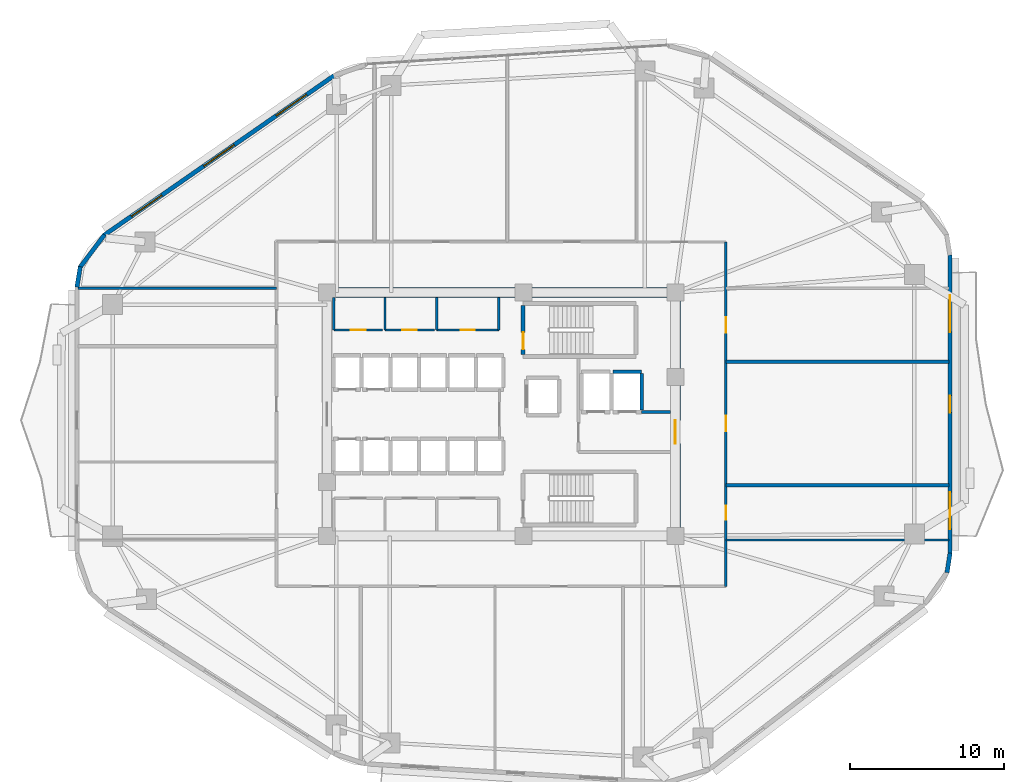
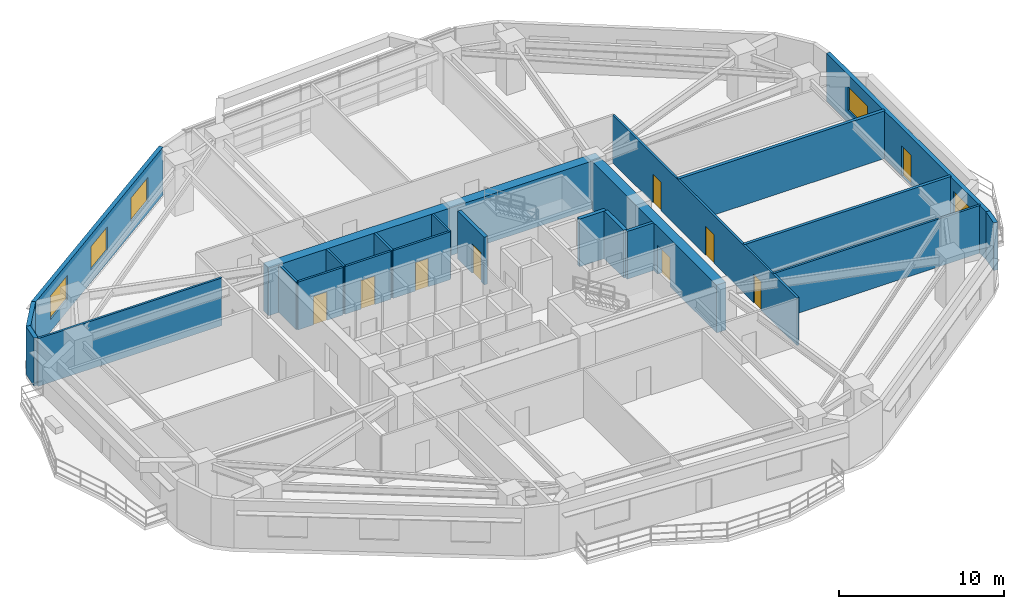
# One storey, part 9 of 14: 23 walls, 9 doors, 5 windows, 14 openings.
"""IFC4 building model written with IfcOpenShell, lengths in metres."""

from ifc_helpers import new_model, si_unit, direction, frame, frame_2d, origin, place, context, subcontext, project, spatial, rectangle, extrude, material, layer, layer_set, type_object, element, fill, save


model = new_model("IFC4")

# Units and contexts
model_context = context("Model", 3, precision=1e-05, world=origin(), true_north=direction((0.0, 1.0)))
body_context = subcontext(model_context, "Body", "Model", "MODEL_VIEW")
ifc_project = project(units=[si_unit("LENGTHUNIT", "METRE"), si_unit("AREAUNIT", "SQUARE_METRE"), si_unit("VOLUMEUNIT", "CUBIC_METRE"), si_unit("PLANEANGLEUNIT", "RADIAN"), si_unit("MASSUNIT", "GRAM", prefix="KILO")], contexts=[model_context])

# Site, building, storey
site_placement = place(None, origin())
site = spatial("IfcSite", under=ifc_project, at=site_placement, CompositionType="ELEMENT")
building_placement = place(site_placement, origin())
building = spatial("IfcBuilding", under=site, at=building_placement, Name="Zulverin Broadcast Headquarters", CompositionType="ELEMENT")
storey_placement = place(building_placement, frame((0.0, 0.0, 55.39990234375)))
storey = spatial("IfcBuildingStorey", under=building, at=storey_placement, Name="L13", CompositionType="ELEMENT", Elevation=55.39990234375)

# Walls
ifc_material_1 = material(Name="Acoustic drywall steel stud", Category="steel")
ifc_layer_1 = layer(ifc_material_1, 0.199951171875, Name="Acoustic drywall steel stud", Category="steel")
ifc_layer_set_1 = layer_set([ifc_layer_1], Name="Acoustic drywall steel stud")
wall_type_1 = type_object("IfcWallType", Name="WL-ACOU-200", PredefinedType="PARTITIONING", material=ifc_layer_set_1)
wall_1_placement = place(storey_placement, frame((51.550048828125, 20.60009765625, 0.0), z_axis=(0.0, 0.0, 1.0), x_axis=(1.0, 0.0, 0.0)))
element("IfcWall", 1, at=wall_1_placement, inside=storey, type_object=wall_type_1, Name="L13 Room Partition Wall RP-12", PredefinedType="PARTITIONING", context=body_context, shape_type="SweptSolid", body=[
    extrude(rectangle(XDim=14.445068359375, YDim=0.199951171875, at=frame_2d((7.22265625, 0.0))), origin(), (0.0, 0.0, 1.0), 3.525146484375),
])
ifc_material_2 = material(Name="Double-stud acoustic drywall", Category="gypsum")
ifc_layer_2 = layer(ifc_material_2, 0.219970703125, Name="Double-stud acoustic drywall", Category="gypsum")
ifc_layer_set_2 = layer_set([ifc_layer_2], Name="Double-stud acoustic drywall")
wall_type_2 = type_object("IfcWallType", Name="WL-ACOU-220", PredefinedType="PARTITIONING", material=ifc_layer_set_2)
wall_2_placement = place(storey_placement, frame((51.550048828125, 28.60009765625, 0.0), z_axis=(0.0, 0.0, 1.0), x_axis=(1.0, 0.0, 0.0)))
element("IfcWall", 2, at=wall_2_placement, inside=storey, type_object=wall_type_2, Name="L13 Room Partition Wall RP-14", PredefinedType="PARTITIONING", context=body_context, shape_type="SweptSolid", body=[
    extrude(rectangle(XDim=14.445068359375, YDim=0.219970703125, at=frame_2d((7.22265625, 0.0))), origin(), (0.0, 0.0, 1.0), 3.525146484375),
])
ifc_material_3 = material(Name="Concrete C60/75", Category="concrete")
ifc_layer_3 = layer(ifc_material_3, 0.64990234375, Name="Concrete C60/75", Category="concrete")
ifc_layer_set_3 = layer_set([ifc_layer_3], Name="Concrete C60/75")
wall_type_3 = type_object("IfcWallType", Name="WL-CORE-650", PredefinedType="SHEAR", material=ifc_layer_set_3)
wall_3_placement = place(storey_placement, frame((25.39990234375, 33.074951171875, 0.0), z_axis=(0.0, 0.0, 1.0), x_axis=(1.0, 0.0, 0.0)))
element("IfcWall", 3, at=wall_3_placement, inside=storey, type_object=wall_type_3, Name="L13 Core North Shear Wall", PredefinedType="SHEAR", context=body_context, shape_type="SweptSolid", body=[
    extrude(rectangle(XDim=23.2001953125, YDim=0.64990234375, at=frame_2d((11.60009765625, 0.0))), origin(), (0.0, 0.0, 1.0), 3.525146484375),
])

# Wall, opening, door
wall_4_placement = place(storey_placement, frame((48.27490234375, 17.64990234375, 0.0), z_axis=(0.0, 0.0, 1.0), x_axis=(0.0, 1.0, 0.0)))
wall_4 = element("IfcWall", 4, at=wall_4_placement, inside=storey, type_object=wall_type_3, Name="L13 Core East Shear Wall", PredefinedType="SHEAR", context=body_context, shape_type="SweptSolid", body=[
    extrude(rectangle(XDim=15.10009765625, YDim=0.64990234375, at=frame_2d((7.550048828125, 0.0))), origin(), (0.0, 0.0, 1.0), 3.525146484375),
])
opening_1_placement = place(wall_4_placement, frame((5.64990234375, 0.0, 0.0)))
opening_1 = element("IfcOpeningElement", 5, at=opening_1_placement, cuts=wall_4, Name="Opening D-L13-CE1", PredefinedType="OPENING", context=body_context, shape_type="SweptSolid", body=[
    extrude(rectangle(XDim=1.5, YDim=2.14990234375, at=frame_2d((0.75, 1.074951171875))), frame((0.0, 0.3349609375, 0.0), z_axis=(0.0, -1.0, 0.0), x_axis=(1.0, 0.0, 0.0)), (0.0, 0.0, 1.0), 0.669921875),
])
ifc_material_4 = material(Name="Fire-rated glazed steel frame", Category="steel")
door_type_1 = type_object("IfcDoorType", Name="DR-COR-1500", OperationType="DOUBLE_DOOR_SINGLE_SWING", PredefinedType="DOOR", material=ifc_material_4)
door_1_placement = place(opening_1_placement, origin())
door_1 = element("IfcDoor", 6, at=door_1_placement, inside=storey, type_object=door_type_1, Name="L13 Firefighting Lobby East Corridor Door", OperationType="DOUBLE_DOOR_SINGLE_SWING", OverallHeight=2.14990234375, OverallWidth=1.5, PredefinedType="DOOR", context=body_context, shape_type="SweptSolid", body=[
    extrude(rectangle(XDim=1.5, YDim=2.14990234375, at=frame_2d((0.75, 1.074951171875))), frame((0.0, 0.02490234375, 0.0), z_axis=(0.0, -1.0, 0.0), x_axis=(1.0, 0.0, 0.0)), (0.0, 0.0, 1.0), 0.050048828125),
])
fill(opening_1, door_1)

# Wall, openings, door, windows
ifc_material_5 = material(Name="Insulated pale-metal clad concrete spandrel C40/50", Category="concrete")
ifc_layer_4 = layer(ifc_material_5, 0.280029296875, Name="Insulated pale-metal clad concrete spandrel C40/50", Category="concrete")
ifc_layer_set_4 = layer_set([ifc_layer_4], Name="Insulated pale-metal clad concrete spandrel C40/50")
wall_type_4 = type_object("IfcWallType", Name="WL-EXT-280", PredefinedType="STANDARD", material=ifc_layer_set_4)
wall_5_placement = place(storey_placement, frame((66.06005859375, 16.183349609375, 0.0), z_axis=(0.0, 0.0, 1.0), x_axis=(0.0, 1.0, 0.0)))
wall_5 = element("IfcWall", 7, at=wall_5_placement, inside=storey, type_object=wall_type_4, Name="L13 Pale-Metal Clad Spandrel Wall 3", PredefinedType="STANDARD", context=body_context, shape_type="SweptSolid", body=[
    extrude(rectangle(XDim=19.3310546875, YDim=0.280029296875, at=frame_2d((9.66552734375, 0.0))), origin(), (0.0, 0.0, 1.0), 3.525146484375),
])
opening_2_placement = place(wall_5_placement, frame((9.115478515625, 0.0, 0.0)))
opening_2 = element("IfcOpeningElement", 8, at=opening_2_placement, cuts=wall_5, Name="Opening D-L13-TR3", PredefinedType="OPENING", context=body_context, shape_type="SweptSolid", body=[
    extrude(rectangle(XDim=1.10009765625, YDim=2.199951171875, at=frame_2d((0.550048828125, 1.10009765625))), frame((0.0, 0.14990234375, 0.0), z_axis=(0.0, -1.0, 0.0), x_axis=(1.0, 0.0, 0.0)), (0.0, 0.0, 1.0), 0.300048828125),
])
opening_3_placement = place(wall_5_placement, frame((1.5751953125, 0.0, 0.89990234375)))
opening_3 = element("IfcOpeningElement", 9, at=opening_3_placement, cuts=wall_5, Name="Opening W-L13-E31", PredefinedType="OPENING", context=body_context, shape_type="SweptSolid", body=[
    extrude(rectangle(XDim=2.39990234375, YDim=1.75, at=frame_2d((1.199951171875, 0.875))), frame((0.0, 0.14990234375, 0.0), z_axis=(0.0, -1.0, 0.0), x_axis=(1.0, 0.0, 0.0)), (0.0, 0.0, 1.0), 0.300048828125),
])
opening_4_placement = place(wall_5_placement, frame((14.325927734375, 0.0, 0.89990234375)))
opening_4 = element("IfcOpeningElement", 10, at=opening_4_placement, cuts=wall_5, Name="Opening W-L13-E32", PredefinedType="OPENING", context=body_context, shape_type="SweptSolid", body=[
    extrude(rectangle(XDim=2.39990234375, YDim=1.75, at=frame_2d((1.199951171875, 0.875))), frame((0.0, 0.14990234375, 0.0), z_axis=(0.0, -1.0, 0.0), x_axis=(1.0, 0.0, 0.0)), (0.0, 0.0, 1.0), 0.300048828125),
])
ifc_material_6 = material(Name="Thermally broken aluminium glazed", Category="aluminium")
door_type_2 = type_object("IfcDoorType", Name="DR-TERR-1100", OperationType="SINGLE_SWING_RIGHT", PredefinedType="DOOR", material=ifc_material_6)
door_2_placement = place(opening_2_placement, origin())
door_2 = element("IfcDoor", 11, at=door_2_placement, inside=storey, type_object=door_type_2, Name="L13 Planted Terrace Glazed Access Door 3", OperationType="SINGLE_SWING_RIGHT", OverallHeight=2.199951171875, OverallWidth=1.10009765625, PredefinedType="DOOR", context=body_context, shape_type="SweptSolid", body=[
    extrude(rectangle(XDim=1.10009765625, YDim=2.199951171875, at=frame_2d((0.550048828125, 1.10009765625))), frame((0.0, 0.02490234375, 0.0), z_axis=(0.0, -1.0, 0.0), x_axis=(1.0, 0.0, 0.0)), (0.0, 0.0, 1.0), 0.050048828125),
])
fill(opening_2, door_2)
ifc_material_7 = material(Name="Pale anodized aluminium frame with solar-control low-E double glazing", Category="aluminium")
window_type = type_object("IfcWindowType", Name="WIN-RIB-2400", PartitioningType="SINGLE_PANEL", PredefinedType="WINDOW", material=ifc_material_7)
window_1_placement = place(opening_3_placement, origin())
window_1 = element("IfcWindow", 12, at=window_1_placement, inside=storey, type_object=window_type, Name="L13 Ribbon Glazing Window 3 1", OverallHeight=1.75, OverallWidth=2.39990234375, PartitioningType="SINGLE_PANEL", PredefinedType="WINDOW", context=body_context, shape_type="SweptSolid", body=[
    extrude(rectangle(XDim=2.39990234375, YDim=1.75, at=frame_2d((1.199951171875, 0.875))), frame((0.0, 0.030029296875, 0.0), z_axis=(0.0, -1.0, 0.0), x_axis=(1.0, 0.0, 0.0)), (0.0, 0.0, 1.0), 0.06005859375),
])
fill(opening_3, window_1)
window_2_placement = place(opening_4_placement, origin())
window_2 = element("IfcWindow", 13, at=window_2_placement, inside=storey, type_object=window_type, Name="L13 Ribbon Glazing Window 3 2", OverallHeight=1.75, OverallWidth=2.39990234375, PartitioningType="SINGLE_PANEL", PredefinedType="WINDOW", context=body_context, shape_type="SweptSolid", body=[
    extrude(rectangle(XDim=2.39990234375, YDim=1.75, at=frame_2d((1.199951171875, 0.875))), frame((0.0, 0.030029296875, 0.0), z_axis=(0.0, -1.0, 0.0), x_axis=(1.0, 0.0, 0.0)), (0.0, 0.0, 1.0), 0.06005859375),
])
fill(opening_4, window_2)

# Wall, openings, windows
wall_6_placement = place(storey_placement, frame((26.181884765625, 47.11767578125, 0.0), z_axis=(0.0, 0.0, 1.0), x_axis=(-0.821547956627, -0.570139417127, 0.0)))
wall_6 = element("IfcWall", 14, at=wall_6_placement, inside=storey, type_object=wall_type_4, Name="L13 Pale-Metal Clad Spandrel Wall 6", PredefinedType="STANDARD", context=body_context, shape_type="SweptSolid", body=[
    extrude(rectangle(XDim=18.13232421875, YDim=0.280029296875, at=frame_2d((9.066162109375, 0.0))), origin(), (0.0, 0.0, 1.0), 3.525146484375),
])
opening_5_placement = place(wall_6_placement, frame((2.155517578125, 0.0, 0.89990234375)))
opening_5 = element("IfcOpeningElement", 15, at=opening_5_placement, cuts=wall_6, Name="Opening W-L13-E61", PredefinedType="OPENING", context=body_context, shape_type="SweptSolid", body=[
    extrude(rectangle(XDim=2.39990234375, YDim=1.75, at=frame_2d((1.199951171875, 0.875))), frame((0.0, 0.14990234375, 0.0), z_axis=(0.0, -1.0, 0.0), x_axis=(1.0, 0.0, 0.0)), (0.0, 0.0, 1.0), 0.300048828125),
])
opening_6_placement = place(wall_6_placement, frame((7.8662109375, 0.0, 0.89990234375)))
opening_6 = element("IfcOpeningElement", 16, at=opening_6_placement, cuts=wall_6, Name="Opening W-L13-E62", PredefinedType="OPENING", context=body_context, shape_type="SweptSolid", body=[
    extrude(rectangle(XDim=2.39990234375, YDim=1.75, at=frame_2d((1.199951171875, 0.875))), frame((0.0, 0.14990234375, 0.0), z_axis=(0.0, -1.0, 0.0), x_axis=(1.0, 0.0, 0.0)), (0.0, 0.0, 1.0), 0.300048828125),
])
opening_7_placement = place(wall_6_placement, frame((13.576904296875, 0.0, 0.89990234375)))
opening_7 = element("IfcOpeningElement", 17, at=opening_7_placement, cuts=wall_6, Name="Opening W-L13-E63", PredefinedType="OPENING", context=body_context, shape_type="SweptSolid", body=[
    extrude(rectangle(XDim=2.39990234375, YDim=1.75, at=frame_2d((1.199951171875, 0.875))), frame((0.0, 0.14990234375, 0.0), z_axis=(0.0, -1.0, 0.0), x_axis=(1.0, 0.0, 0.0)), (0.0, 0.0, 1.0), 0.300048828125),
])
window_3_placement = place(opening_5_placement, origin())
window_3 = element("IfcWindow", 18, at=window_3_placement, inside=storey, type_object=window_type, Name="L13 Ribbon Glazing Window 6 1", OverallHeight=1.75, OverallWidth=2.39990234375, PartitioningType="SINGLE_PANEL", PredefinedType="WINDOW", context=body_context, shape_type="SweptSolid", body=[
    extrude(rectangle(XDim=2.39990234375, YDim=1.75, at=frame_2d((1.199951171875, 0.875))), frame((0.0, 0.030029296875, 0.0), z_axis=(0.0, -1.0, 0.0), x_axis=(1.0, 0.0, 0.0)), (0.0, 0.0, 1.0), 0.06005859375),
])
fill(opening_5, window_3)
window_4_placement = place(opening_6_placement, origin())
window_4 = element("IfcWindow", 19, at=window_4_placement, inside=storey, type_object=window_type, Name="L13 Ribbon Glazing Window 6 2", OverallHeight=1.75, OverallWidth=2.39990234375, PartitioningType="SINGLE_PANEL", PredefinedType="WINDOW", context=body_context, shape_type="SweptSolid", body=[
    extrude(rectangle(XDim=2.39990234375, YDim=1.75, at=frame_2d((1.199951171875, 0.875))), frame((0.0, 0.030029296875, 0.0), z_axis=(0.0, -1.0, 0.0), x_axis=(1.0, 0.0, 0.0)), (0.0, 0.0, 1.0), 0.06005859375),
])
fill(opening_6, window_4)
window_5_placement = place(opening_7_placement, origin())
window_5 = element("IfcWindow", 20, at=window_5_placement, inside=storey, type_object=window_type, Name="L13 Ribbon Glazing Window 6 3", OverallHeight=1.75, OverallWidth=2.39990234375, PartitioningType="SINGLE_PANEL", PredefinedType="WINDOW", context=body_context, shape_type="SweptSolid", body=[
    extrude(rectangle(XDim=2.39990234375, YDim=1.75, at=frame_2d((1.199951171875, 0.875))), frame((0.0, 0.030029296875, 0.0), z_axis=(0.0, -1.0, 0.0), x_axis=(1.0, 0.0, 0.0)), (0.0, 0.0, 1.0), 0.06005859375),
])
fill(opening_7, window_5)

# Walls
wall_7_placement = place(storey_placement, frame((65.867431640625, 14.942626953125, 0.0), z_axis=(0.0, 0.0, 1.0), x_axis=(0.152014078361, 0.988378328364, 0.0)))
element("IfcWall", 21, at=wall_7_placement, inside=storey, type_object=wall_type_4, Name="L13 Wind-Shaped Corner Spandrel Wall 2-2", PredefinedType="STANDARD", context=body_context, shape_type="SweptSolid", body=[
    extrude(rectangle(XDim=1.27685546875, YDim=0.280029296875, at=frame_2d((0.638427734375, 0.0))), origin(), (0.0, 0.0, 1.0), 3.525146484375),
])
wall_8_placement = place(storey_placement, frame((11.317626953125, 36.81103515625, 0.0), z_axis=(0.0, 0.0, 1.0), x_axis=(-0.599455152629, -0.800408345775, 0.0)))
element("IfcWall", 22, at=wall_8_placement, inside=storey, type_object=wall_type_4, Name="L13 Wind-Shaped Corner Spandrel Wall 6-1", PredefinedType="STANDARD", context=body_context, shape_type="SweptSolid", body=[
    extrude(rectangle(XDim=2.6533203125, YDim=0.280029296875, at=frame_2d((1.32666015625, 0.0))), origin(), (0.0, 0.0, 1.0), 3.525146484375),
])
wall_9_placement = place(storey_placement, frame((9.753173828125, 34.748779296875, 0.0), z_axis=(0.0, 0.0, 1.0), x_axis=(-0.160037671962, -0.987110907423, 0.0)))
element("IfcWall", 23, at=wall_9_placement, inside=storey, type_object=wall_type_4, Name="L13 Wind-Shaped Corner Spandrel Wall 6-2", PredefinedType="STANDARD", context=body_context, shape_type="SweptSolid", body=[
    extrude(rectangle(XDim=1.343994140625, YDim=0.280029296875, at=frame_2d((0.671875, 0.0))), origin(), (0.0, 0.0, 1.0), 3.525146484375),
])
ifc_material_8 = material(Name="Concrete C40/50", Category="concrete")
ifc_layer_5 = layer(ifc_material_8, 0.199951171875, Name="Concrete C40/50", Category="concrete")
ifc_layer_set_5 = layer_set([ifc_layer_5], Name="Concrete C40/50")
wall_type_5 = type_object("IfcWallType", Name="WL-FFL-200", PredefinedType="SOLIDWALL", material=ifc_layer_set_5)
wall_10_placement = place(storey_placement, frame((46.10009765625, 25.35009765625, 0.0), z_axis=(0.0, 0.0, 1.0), x_axis=(1.0, 0.0, 0.0)))
element("IfcWall", 24, at=wall_10_placement, inside=storey, type_object=wall_type_5, Name="L13 Firefighting Lift Lobby North Wall", PredefinedType="SOLIDWALL", context=body_context, shape_type="SweptSolid", body=[
    extrude(rectangle(XDim=1.849853515625, YDim=0.199951171875, at=frame_2d((0.9248046875, 0.0))), origin(), (0.0, 0.0, 1.0), 3.525146484375),
])

# Wall, opening, door
ifc_material_9 = material(Name="Fire-rated gypsum stud partition", Category="gypsum")
ifc_layer_6 = layer(ifc_material_9, 0.14990234375, Name="Fire-rated gypsum stud partition", Category="gypsum")
ifc_layer_set_6 = layer_set([ifc_layer_6], Name="Fire-rated gypsum stud partition")
wall_type_6 = type_object("IfcWallType", Name="WL-PART-150", PredefinedType="PARTITIONING", material=ifc_layer_set_6)
wall_11_placement = place(storey_placement, frame((26.169921875, 30.64990234375, 0.0), z_axis=(0.0, 0.0, 1.0), x_axis=(1.0, 0.0, 0.0)))
wall_11 = element("IfcWall", 25, at=wall_11_placement, inside=storey, type_object=wall_type_6, Name="L13 Core Male WC Front Wall", PredefinedType="PARTITIONING", context=body_context, shape_type="SweptSolid", body=[
    extrude(rectangle(XDim=3.150146484375, YDim=0.14990234375, at=frame_2d((1.5751953125, 0.0))), origin(), (0.0, 0.0, 1.0), 3.525146484375),
])
opening_8_placement = place(wall_11_placement, frame((1.10009765625, 0.0, 0.0)))
opening_8 = element("IfcOpeningElement", 26, at=opening_8_placement, cuts=wall_11, Name="Opening D-L13-NC1", PredefinedType="OPENING", context=body_context, shape_type="SweptSolid", body=[
    extrude(rectangle(XDim=0.949951171875, YDim=2.10009765625, at=frame_2d((0.47509765625, 1.050048828125))), frame((0.0, 0.0849609375, 0.0), z_axis=(0.0, -1.0, 0.0), x_axis=(1.0, 0.0, 0.0)), (0.0, 0.0, 1.0), 0.169921875),
])
ifc_material_10 = material(Name="Fire-rated moisture-resistant laminate leaf", Category="wood")
door_type_3 = type_object("IfcDoorType", Name="DR-WC-950", OperationType="SINGLE_SWING_LEFT", PredefinedType="DOOR", material=ifc_material_10)
door_3_placement = place(opening_8_placement, origin())
door_3 = element("IfcDoor", 27, at=door_3_placement, inside=storey, type_object=door_type_3, Name="L13 Male WC Door", OperationType="SINGLE_SWING_LEFT", OverallHeight=2.10009765625, OverallWidth=0.949951171875, PredefinedType="DOOR", context=body_context, shape_type="SweptSolid", body=[
    extrude(rectangle(XDim=0.949951171875, YDim=2.10009765625, at=frame_2d((0.47509765625, 1.050048828125))), frame((0.0, 0.02490234375, 0.0), z_axis=(0.0, -1.0, 0.0), x_axis=(1.0, 0.0, 0.0)), (0.0, 0.0, 1.0), 0.050048828125),
])
fill(opening_8, door_3)

# Wall
wall_12_placement = place(storey_placement, frame((26.169921875, 30.64990234375, 0.0), z_axis=(0.0, 0.0, 1.0), x_axis=(0.0, 1.0, 0.0)))
element("IfcWall", 28, at=wall_12_placement, inside=storey, type_object=wall_type_6, Name="L13 Core Male WC West Wall", PredefinedType="PARTITIONING", context=body_context, shape_type="SweptSolid", body=[
    extrude(rectangle(XDim=2.10009765625, YDim=0.14990234375, at=frame_2d((1.050048828125, 0.0))), origin(), (0.0, 0.0, 1.0), 3.525146484375),
])

# Wall, opening, door
wall_13_placement = place(storey_placement, frame((29.47998046875, 30.64990234375, 0.0), z_axis=(0.0, 0.0, 1.0), x_axis=(1.0, 0.0, 0.0)))
wall_13 = element("IfcWall", 29, at=wall_13_placement, inside=storey, type_object=wall_type_6, Name="L13 Core Accessible WC Front Wall", PredefinedType="PARTITIONING", context=body_context, shape_type="SweptSolid", body=[
    extrude(rectangle(XDim=3.18994140625, YDim=0.14990234375, at=frame_2d((1.594970703125, 0.0))), origin(), (0.0, 0.0, 1.0), 3.525146484375),
])
opening_9_placement = place(wall_13_placement, frame((1.1201171875, 0.0, 0.0)))
opening_9 = element("IfcOpeningElement", 30, at=opening_9_placement, cuts=wall_13, Name="Opening D-L13-NC2", PredefinedType="OPENING", context=body_context, shape_type="SweptSolid", body=[
    extrude(rectangle(XDim=0.949951171875, YDim=2.10009765625, at=frame_2d((0.47509765625, 1.050048828125))), frame((0.0, 0.0849609375, 0.0), z_axis=(0.0, -1.0, 0.0), x_axis=(1.0, 0.0, 0.0)), (0.0, 0.0, 1.0), 0.169921875),
])
door_4_placement = place(opening_9_placement, origin())
door_4 = element("IfcDoor", 31, at=door_4_placement, inside=storey, type_object=door_type_3, Name="L13 Accessible WC Door", OperationType="SINGLE_SWING_RIGHT", OverallHeight=2.10009765625, OverallWidth=0.949951171875, PredefinedType="DOOR", context=body_context, shape_type="SweptSolid", body=[
    extrude(rectangle(XDim=0.949951171875, YDim=2.10009765625, at=frame_2d((0.47509765625, 1.050048828125))), frame((0.0, 0.02490234375, 0.0), z_axis=(0.0, -1.0, 0.0), x_axis=(1.0, 0.0, 0.0)), (0.0, 0.0, 1.0), 0.050048828125),
])
fill(opening_9, door_4)

# Wall
wall_14_placement = place(storey_placement, frame((29.47998046875, 30.64990234375, 0.0), z_axis=(0.0, 0.0, 1.0), x_axis=(0.0, 1.0, 0.0)))
element("IfcWall", 32, at=wall_14_placement, inside=storey, type_object=wall_type_6, Name="L13 Core Accessible WC West Wall", PredefinedType="PARTITIONING", context=body_context, shape_type="SweptSolid", body=[
    extrude(rectangle(XDim=2.10009765625, YDim=0.14990234375, at=frame_2d((1.050048828125, 0.0))), origin(), (0.0, 0.0, 1.0), 3.525146484375),
])

# Wall, opening, door
wall_15_placement = place(storey_placement, frame((32.830078125, 30.64990234375, 0.0), z_axis=(0.0, 0.0, 1.0), x_axis=(1.0, 0.0, 0.0)))
wall_15 = element("IfcWall", 33, at=wall_15_placement, inside=storey, type_object=wall_type_6, Name="L13 Core Electrical Distribution Riser Front Wall", PredefinedType="PARTITIONING", context=body_context, shape_type="SweptSolid", body=[
    extrude(rectangle(XDim=4.02001953125, YDim=0.14990234375, at=frame_2d((2.010009765625, 0.0))), origin(), (0.0, 0.0, 1.0), 3.525146484375),
])
opening_10_placement = place(wall_15_placement, frame((1.56005859375, 0.0, 0.0)))
opening_10 = element("IfcOpeningElement", 34, at=opening_10_placement, cuts=wall_15, Name="Opening D-L13-NC3", PredefinedType="OPENING", context=body_context, shape_type="SweptSolid", body=[
    extrude(rectangle(XDim=0.89990234375, YDim=2.10009765625, at=frame_2d((0.449951171875, 1.050048828125))), frame((0.0, 0.0849609375, 0.0), z_axis=(0.0, -1.0, 0.0), x_axis=(1.0, 0.0, 0.0)), (0.0, 0.0, 1.0), 0.169921875),
])
ifc_material_11 = material(Name="Powder-coated steel access leaf", Category="steel")
door_type_4 = type_object("IfcDoorType", Name="DR-RISER-900", OperationType="SINGLE_SWING_LEFT", PredefinedType="DOOR", material=ifc_material_11)
door_5_placement = place(opening_10_placement, origin())
door_5 = element("IfcDoor", 35, at=door_5_placement, inside=storey, type_object=door_type_4, Name="L13 Electrical Distribution Riser Door", OperationType="SINGLE_SWING_LEFT", OverallHeight=2.10009765625, OverallWidth=0.89990234375, PredefinedType="DOOR", context=body_context, shape_type="SweptSolid", body=[
    extrude(rectangle(XDim=0.89990234375, YDim=2.10009765625, at=frame_2d((0.449951171875, 1.050048828125))), frame((0.0, 0.02490234375, 0.0), z_axis=(0.0, -1.0, 0.0), x_axis=(1.0, 0.0, 0.0)), (0.0, 0.0, 1.0), 0.050048828125),
])
fill(opening_10, door_5)

# Walls
for number, where, z_axis, x_axis, name in (
    (36, (32.830078125, 30.64990234375, 0.0), (0.0, 0.0, 1.0), (0.0, 1.0, 0.0), "L13 Core Electrical Distribution Riser West Wall"),
    (37, (36.85009765625, 30.64990234375, 0.0), (0.0, 0.0, 1.0), (0.0, 1.0, 0.0), "L13 Core Electrical Distribution Riser East Wall"),
):
    element("IfcWall", number, at=place(storey_placement, frame(where, z_axis=z_axis, x_axis=x_axis)), inside=storey, type_object=wall_type_6, Name=name, PredefinedType="PARTITIONING", context=body_context, shape_type="SweptSolid", body=[
        extrude(rectangle(XDim=2.10009765625, YDim=0.14990234375, at=frame_2d((1.050048828125, 0.0))), origin(), (0.0, 0.0, 1.0), 3.525146484375),
    ])

# Wall, openings, doors
wall_16_placement = place(storey_placement, frame((51.550048828125, 14.050048828125, 0.0), z_axis=(0.0, 0.0, 1.0), x_axis=(0.0, 1.0, 0.0)))
wall_16 = element("IfcWall", 38, at=wall_16_placement, inside=storey, type_object=wall_type_6, Name="L13 Gallery Partition Wall CG-01", PredefinedType="PARTITIONING", context=body_context, shape_type="SweptSolid", body=[
    extrude(rectangle(XDim=22.300048828125, YDim=0.14990234375, at=frame_2d((11.14990234375, 0.0))), origin(), (0.0, 0.0, 1.0), 3.525146484375),
])
opening_11_placement = place(wall_16_placement, frame((4.324951171875, 0.0, 0.0)))
opening_11 = element("IfcOpeningElement", 39, at=opening_11_placement, cuts=wall_16, Name="Opening D-L13-12", PredefinedType="OPENING", context=body_context, shape_type="SweptSolid", body=[
    extrude(rectangle(XDim=0.89990234375, YDim=2.10009765625, at=frame_2d((0.449951171875, 1.050048828125))), frame((0.0, 0.0849609375, 0.0), z_axis=(0.0, -1.0, 0.0), x_axis=(1.0, 0.0, 0.0)), (0.0, 0.0, 1.0), 0.169921875),
])
opening_12_placement = place(wall_16_placement, frame((10.050048828125, 0.0, 0.0)))
opening_12 = element("IfcOpeningElement", 40, at=opening_12_placement, cuts=wall_16, Name="Opening D-L13-13", PredefinedType="OPENING", context=body_context, shape_type="SweptSolid", body=[
    extrude(rectangle(XDim=1.0, YDim=2.1201171875, at=frame_2d((0.5, 1.06005859375))), frame((0.0, 0.0849609375, 0.0), z_axis=(0.0, -1.0, 0.0), x_axis=(1.0, 0.0, 0.0)), (0.0, 0.0, 1.0), 0.169921875),
])
opening_13_placement = place(wall_16_placement, frame((16.425048828125, 0.0, 0.0)))
opening_13 = element("IfcOpeningElement", 41, at=opening_13_placement, cuts=wall_16, Name="Opening D-L13-14", PredefinedType="OPENING", context=body_context, shape_type="SweptSolid", body=[
    extrude(rectangle(XDim=1.0, YDim=2.1201171875, at=frame_2d((0.5, 1.06005859375))), frame((0.0, 0.0849609375, 0.0), z_axis=(0.0, -1.0, 0.0), x_axis=(1.0, 0.0, 0.0)), (0.0, 0.0, 1.0), 0.169921875),
])
ifc_material_12 = material(Name="Hardwood veneer acoustic leaf", Category="wood")
door_type_5 = type_object("IfcDoorType", Name="DR-OFF-1000", OperationType="SINGLE_SWING_LEFT", PredefinedType="DOOR", material=ifc_material_12)
door_6_placement = place(opening_12_placement, origin())
door_6 = element("IfcDoor", 42, at=door_6_placement, inside=storey, type_object=door_type_5, Name="L13 Sports Broadcast Workplace Door", OperationType="SINGLE_SWING_RIGHT", OverallHeight=2.1201171875, OverallWidth=1.0, PredefinedType="DOOR", context=body_context, shape_type="SweptSolid", body=[
    extrude(rectangle(XDim=1.0, YDim=2.1201171875, at=frame_2d((0.5, 1.06005859375))), frame((0.0, 0.02490234375, 0.0), z_axis=(0.0, -1.0, 0.0), x_axis=(1.0, 0.0, 0.0)), (0.0, 0.0, 1.0), 0.050048828125),
])
fill(opening_12, door_6)
door_7_placement = place(opening_13_placement, origin())
door_7 = element("IfcDoor", 43, at=door_7_placement, inside=storey, type_object=door_type_5, Name="L13 Live Replay Office Door", OperationType="SINGLE_SWING_LEFT", OverallHeight=2.1201171875, OverallWidth=1.0, PredefinedType="DOOR", context=body_context, shape_type="SweptSolid", body=[
    extrude(rectangle(XDim=1.0, YDim=2.1201171875, at=frame_2d((0.5, 1.06005859375))), frame((0.0, 0.02490234375, 0.0), z_axis=(0.0, -1.0, 0.0), x_axis=(1.0, 0.0, 0.0)), (0.0, 0.0, 1.0), 0.050048828125),
])
fill(opening_13, door_7)
ifc_material_13 = material(Name="Fire-rated hardwood veneer timber leaf", Category="wood")
door_type_6 = type_object("IfcDoorType", Name="DR-ROOM-900", OperationType="SINGLE_SWING_RIGHT", PredefinedType="DOOR", material=ifc_material_13)
door_8_placement = place(opening_11_placement, origin())
door_8 = element("IfcDoor", 44, at=door_8_placement, inside=storey, type_object=door_type_6, Name="L13 Guest Reception Door", OperationType="SINGLE_SWING_LEFT", OverallHeight=2.10009765625, OverallWidth=0.89990234375, PredefinedType="DOOR", context=body_context, shape_type="SweptSolid", body=[
    extrude(rectangle(XDim=0.89990234375, YDim=2.10009765625, at=frame_2d((0.449951171875, 1.050048828125))), frame((0.0, 0.02490234375, 0.0), z_axis=(0.0, -1.0, 0.0), x_axis=(1.0, 0.0, 0.0)), (0.0, 0.0, 1.0), 0.050048828125),
])
fill(opening_11, door_8)

# Walls
wall_17_placement = place(storey_placement, frame((51.550048828125, 17.050048828125, 0.0), z_axis=(0.0, 0.0, 1.0), x_axis=(1.0, 0.0, 0.0)))
element("IfcWall", 45, at=wall_17_placement, inside=storey, type_object=wall_type_6, Name="L13 Room Partition Wall RP-11", PredefinedType="PARTITIONING", context=body_context, shape_type="SweptSolid", body=[
    extrude(rectangle(XDim=14.445068359375, YDim=0.14990234375, at=frame_2d((7.22265625, 0.0))), origin(), (0.0, 0.0, 1.0), 3.525146484375),
])
wall_18_placement = place(storey_placement, frame((9.60498046875, 33.35009765625, 0.0), z_axis=(0.0, 0.0, 1.0), x_axis=(1.0, 0.0, 0.0)))
element("IfcWall", 46, at=wall_18_placement, inside=storey, type_object=wall_type_6, Name="L13 Room Partition Wall RP-16", PredefinedType="PARTITIONING", context=body_context, shape_type="SweptSolid", body=[
    extrude(rectangle(XDim=12.844970703125, YDim=0.14990234375, at=frame_2d((6.42236328125, 0.0))), origin(), (0.0, 0.0, 1.0), 3.525146484375),
])

# Wall, opening, door
ifc_material_14 = material(Name="Concrete C50/60", Category="concrete")
ifc_layer_7 = layer(ifc_material_14, 0.25, Name="Concrete C50/60", Category="concrete")
ifc_layer_set_7 = layer_set([ifc_layer_7], Name="Concrete C50/60")
wall_type_7 = type_object("IfcWallType", Name="WL-SHAFT-250", PredefinedType="SHEAR", material=ifc_layer_set_7)
wall_19_placement = place(storey_placement, frame((38.425048828125, 29.050048828125, 0.0), z_axis=(0.0, 0.0, 1.0), x_axis=(0.0, 1.0, 0.0)))
wall_19 = element("IfcWall", 47, at=wall_19_placement, inside=storey, type_object=wall_type_7, Name="L13 ST-1 Enclosure Wall W", PredefinedType="SHEAR", context=body_context, shape_type="SweptSolid", body=[
    extrude(rectangle(XDim=3.199951171875, YDim=0.25, at=frame_2d((1.60009765625, 0.0))), origin(), (0.0, 0.0, 1.0), 3.525146484375),
])
opening_14_placement = place(wall_19_placement, frame((0.35009765625, 0.0, 0.0)))
opening_14 = element("IfcOpeningElement", 48, at=opening_14_placement, cuts=wall_19, Name="Opening D-L13-ST-1", PredefinedType="OPENING", context=body_context, shape_type="SweptSolid", body=[
    extrude(rectangle(XDim=1.10009765625, YDim=2.14990234375, at=frame_2d((0.550048828125, 1.074951171875))), frame((0.0, 0.135009765625, 0.0), z_axis=(0.0, -1.0, 0.0), x_axis=(1.0, 0.0, 0.0)), (0.0, 0.0, 1.0), 0.27001953125),
])
ifc_material_15 = material(Name="Fire-rated steel leaf and frame", Category="steel")
door_type_7 = type_object("IfcDoorType", Name="DR-STAIR-1100", OperationType="SINGLE_SWING_LEFT", PredefinedType="DOOR", material=ifc_material_15)
door_9_placement = place(opening_14_placement, origin())
door_9 = element("IfcDoor", 49, at=door_9_placement, inside=storey, type_object=door_type_7, Name="L13 Exit Stair ST-1 Fire Door", OperationType="SINGLE_SWING_LEFT", OverallHeight=2.14990234375, OverallWidth=1.10009765625, PredefinedType="DOOR", context=body_context, shape_type="SweptSolid", body=[
    extrude(rectangle(XDim=1.10009765625, YDim=2.14990234375, at=frame_2d((0.550048828125, 1.074951171875))), frame((0.0, 0.02490234375, 0.0), z_axis=(0.0, -1.0, 0.0), x_axis=(1.0, 0.0, 0.0)), (0.0, 0.0, 1.0), 0.050048828125),
])
fill(opening_14, door_9)

# Walls
wall_20_placement = place(storey_placement, frame((44.25, 27.949951171875, 0.0), z_axis=(0.0, 0.0, 1.0), x_axis=(1.0, 0.0, 0.0)))
element("IfcWall", 50, at=wall_20_placement, inside=storey, type_object=wall_type_7, Name="L13 Lift FFL-2 Shaft Wall N", PredefinedType="SHEAR", context=body_context, shape_type="SweptSolid", body=[
    extrude(rectangle(XDim=1.85009765625, YDim=0.25, at=frame_2d((0.925048828125, 0.0))), origin(), (0.0, 0.0, 1.0), 3.525146484375),
])
wall_21_placement = place(storey_placement, frame((46.10009765625, 25.469970703125, 0.0), z_axis=(0.0, 0.0, 1.0), x_axis=(0.0, 1.0, 0.0)))
element("IfcWall", 51, at=wall_21_placement, inside=storey, type_object=wall_type_7, Name="L13 Lift FFL-2 Shaft Wall E", PredefinedType="SHEAR", context=body_context, shape_type="SweptSolid", body=[
    extrude(rectangle(XDim=2.360107421875, YDim=0.25, at=frame_2d((1.18017578125, 0.0))), origin(), (0.0, 0.0, 1.0), 3.525146484375),
])

save(model, "model.ifc")
